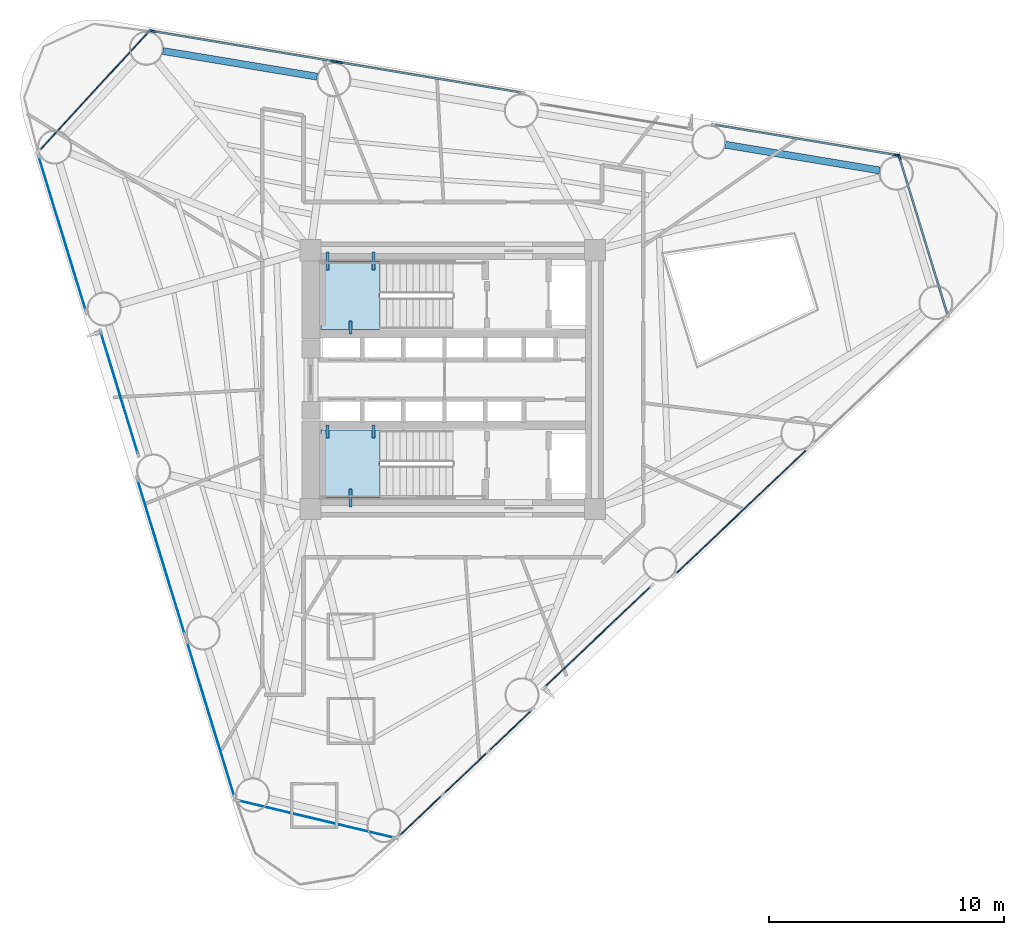
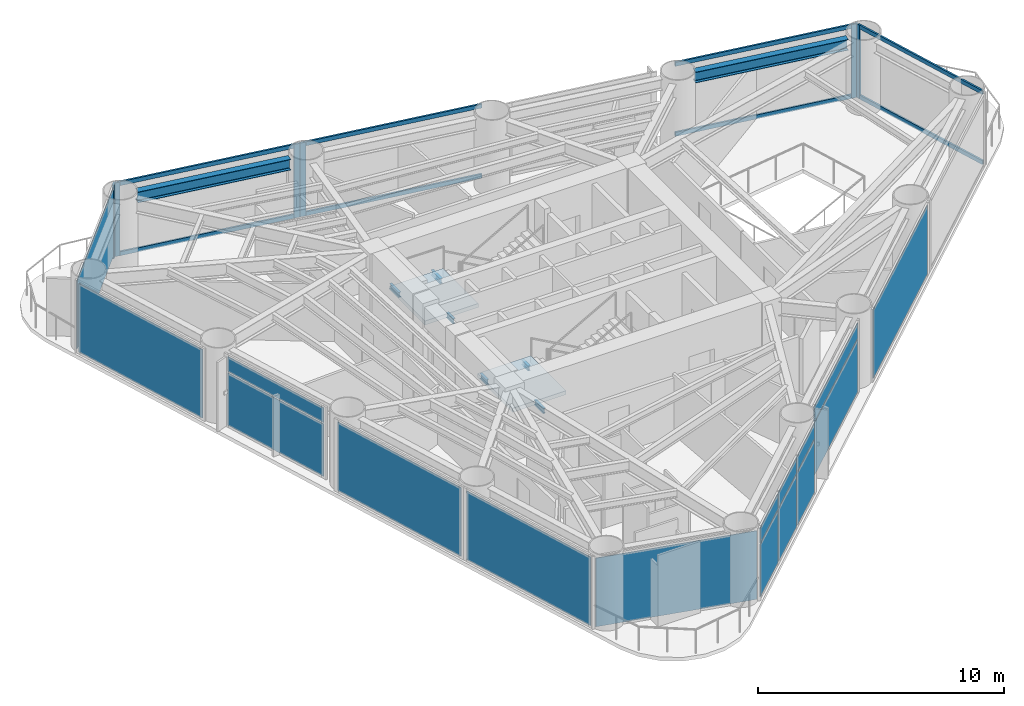
# One storey, part 4 of 10: 16 plates, 14 members, 8 beams, 2 slabs, 15 elements without a shape of their own.
"""IFC4 building model written with IfcOpenShell, lengths in metres."""

from ifc_helpers import new_model, si_unit, direction, frame, origin, origin_2d, place, context, subcontext, project, spatial, polyline, rectangle, i_section, outline, extrude, source, transform, mapped, material, layer, layer_set, material_profile, profile_set, type_object, element, aggregate, save


model = new_model("IFC4")

# Units and contexts
model_context = context("Model", 3, precision=1e-05, world=origin(), true_north=direction((0.0, 1.0)))
body_context = subcontext(model_context, "Body", "Model", "MODEL_VIEW")
ifc_project = project(units=[si_unit("LENGTHUNIT", "METRE"), si_unit("AREAUNIT", "SQUARE_METRE"), si_unit("VOLUMEUNIT", "CUBIC_METRE"), si_unit("PLANEANGLEUNIT", "RADIAN"), si_unit("MASSUNIT", "GRAM", prefix="KILO")], contexts=[model_context])

# Site, building, storey
site_placement = place(None, origin())
site = spatial("IfcSite", under=ifc_project, at=site_placement, CompositionType="ELEMENT")
building_placement = place(site_placement, origin())
building = spatial("IfcBuilding", under=site, at=building_placement, Name="Yunling Apex Tower", CompositionType="ELEMENT")
storey_placement = place(building_placement, frame((0.0, 0.0, 108.64990234375)))
storey = spatial("IfcBuildingStorey", under=building, at=storey_placement, Name="L27", CompositionType="ELEMENT", Elevation=108.64990234375)

# Beams
ifc_material_1 = material(Name="Steel Q355B", Category="steel")
ifc_material_profile_1 = material_profile(ifc_material_1, i_section(OverallWidth=0.125, OverallDepth=0.25, WebThickness=0.006103515625, FlangeThickness=0.009033203125, FilletRadius=0.011962890625, at=origin_2d()))
ifc_profile_set_1 = profile_set([ifc_material_profile_1], Name="Steel Q355B")
beam_type_1 = type_object("IfcBeamType", Name="BL-LNT-1", PredefinedType="LINTEL", material=ifc_profile_set_1)
shared_shape_1 = source(origin(), body_context, "Body", "SweptSolid", [
    extrude(i_section(OverallWidth=0.125, OverallDepth=0.25, WebThickness=0.006103515625, FlangeThickness=0.009033203125, FilletRadius=0.011962890625, at=origin_2d()), origin(), (0.0, 0.0, 1.0), 0.760009765625),
])
for number, where, z_axis, x_axis, name in (
    (1, (-5.320068359375, 5.419921875, 1.55517578125), (0.0, -1.0, 0.0), (1.0, 0.0, 0.0), "L27 ST-1 Landing Bearing Corbel 1-1"),
    (2, (-3.3701171875, 5.419921875, 1.55517578125), (0.0, -1.0, 0.0), (1.0, 0.0, 0.0), "L27 ST-1 Landing Bearing Corbel 1-2"),
    (3, (-4.344970703125, -5.419921875, 1.55517578125), (0.0, 1.0, 0.0), (-1.0, 0.0, 0.0), "L27 ST-2 Landing Bearing Corbel 1-3"),
):
    element("IfcBeam", number, at=place(storey_placement, frame(where, z_axis=z_axis, x_axis=x_axis)), inside=storey, type_object=beam_type_1, Name=name, PredefinedType="LINTEL", context=body_context, shape_type="MappedRepresentation", body=[
        mapped(shared_shape_1, transform((0.0, 0.0, 0.0), scale=1.0)),
    ])
shared_shape_2 = source(origin(), body_context, "Body", "SweptSolid", [
    extrude(i_section(OverallWidth=0.125, OverallDepth=0.25, WebThickness=0.006103515625, FlangeThickness=0.009033203125, FilletRadius=0.011962890625, at=origin_2d()), origin(), (0.0, 0.0, 1.0), 0.550048828125),
])
for number, where, z_axis, x_axis, name in (
    (4, (-4.344970703125, 1.93994140625, 1.55517578125), (0.0, 1.0, 0.0), (-1.0, 0.0, 0.0), "L27 ST-1 Landing Bearing Corbel 1-3"),
    (5, (-5.320068359375, -1.93994140625, 1.55517578125), (0.0, -1.0, 0.0), (1.0, 0.0, 0.0), "L27 ST-2 Landing Bearing Corbel 1-1"),
    (6, (-3.3701171875, -1.93994140625, 1.55517578125), (0.0, -1.0, 0.0), (1.0, 0.0, 0.0), "L27 ST-2 Landing Bearing Corbel 1-2"),
):
    element("IfcBeam", number, at=place(storey_placement, frame(where, z_axis=z_axis, x_axis=x_axis)), inside=storey, type_object=beam_type_1, Name=name, PredefinedType="LINTEL", context=body_context, shape_type="MappedRepresentation", body=[
        mapped(shared_shape_2, transform((0.0, 0.0, 0.0), scale=1.0)),
    ])
ifc_material_profile_2 = material_profile(ifc_material_1, i_section(OverallWidth=0.300048828125, OverallDepth=0.5400390625, WebThickness=0.011962890625, FlangeThickness=0.02001953125, FilletRadius=0.02392578125, at=origin_2d()))
ifc_profile_set_2 = profile_set([ifc_material_profile_2], Name="Steel Q355B")
beam_type_2 = type_object("IfcBeamType", Name="BP-SPN-1", PredefinedType="SPANDREL", material=ifc_profile_set_2)
shared_shape_3 = source(origin(), body_context, "Body", "SweptSolid", [
    extrude(i_section(OverallWidth=0.300048828125, OverallDepth=0.5400390625, WebThickness=0.011962890625, FlangeThickness=0.02001953125, FilletRadius=0.02392578125, at=origin_2d()), origin(), (0.0, 0.0, 1.0), 6.641845703125),
])
for number, where, z_axis, x_axis, name in (
    (7, (18.14599609375, 8.89111328125, 3.295166015625), (-0.986396904036, 0.164381105081, 0.0), (-0.164381105081, -0.986396904036, 0.0), "L27 Perimeter Spandrel Beam 6"),
    (8, (-5.763671875, 12.875244140625, 3.295166015625), (-0.986402863526, 0.164345340146, 0.0), (-0.164345340146, -0.986402863526, 0.0), "L27 Perimeter Spandrel Beam 9"),
):
    element("IfcBeam", number, at=place(storey_placement, frame(where, z_axis=z_axis, x_axis=x_axis)), inside=storey, type_object=beam_type_2, Name=name, PredefinedType="SPANDREL", context=body_context, shape_type="MappedRepresentation", body=[
        mapped(shared_shape_3, transform((0.0, 0.0, 0.0), scale=1.0)),
    ])

# Curtain wall, member
ifc_material_2 = material(Name="Bronze anodised aluminium", Category="aluminium")
ifc_layer_1 = layer(ifc_material_2, 0.260009765625)
ifc_layer_set_1 = layer_set([ifc_layer_1], Name="Bronze anodised aluminium")
curtain_wall_type = type_object("IfcCurtainWallType", Name="CW-SYS-2", PredefinedType="NOTDEFINED", material=ifc_layer_set_1)
curtain_wall_1_placement = place(storey_placement, origin())
curtain_wall_1 = element("IfcCurtainWall", 9, at=curtain_wall_1_placement, inside=storey, type_object=curtain_wall_type, Name="CW-L27-CRN1", PredefinedType="NOTDEFINED")
ifc_material_profile_3 = material_profile(ifc_material_2, rectangle(XDim=0.0849609375, YDim=0.260009765625, at=origin_2d()))
ifc_profile_set_3 = profile_set([ifc_material_profile_3], Name="Bronze anodised aluminium")
member_type_1 = type_object("IfcMemberType", Name="CW-MUL-2", PredefinedType="MULLION", material=ifc_profile_set_3)
shared_shape_4 = source(origin(), body_context, "Body", "SweptSolid", [
    extrude(rectangle(XDim=0.0849609375, YDim=0.260009765625, at=origin_2d()), origin(), (0.0, 0.0, 1.0), 3.664794921875),
])
member_1_placement = place(storey_placement, frame((18.9892578125, 9.46240234375, -0.0498046875), z_axis=(0.0, 0.0, 1.0), x_axis=(-0.95630374567, -0.292375009223, 0.0)))
member_1 = element("IfcMember", 10, at=member_1_placement, type_object=member_type_1, Name="CW-SYS-2 mullion 2", PredefinedType="MULLION", context=body_context, shape_type="MappedRepresentation", body=[
    mapped(shared_shape_4, transform((0.0, 0.0, 0.0), scale=1.0)),
])

curtain_wall_2_placement = place(storey_placement, origin())
curtain_wall_2 = element("IfcCurtainWall", 11, at=curtain_wall_2_placement, inside=storey, type_object=curtain_wall_type, Name="CW-L27-F2-B1", PredefinedType="NOTDEFINED")
member_2_placement = place(storey_placement, frame((18.859375, 9.54296875, -0.0498046875), z_axis=(0.0, 0.0, 1.0), x_axis=(-0.16436008369, -0.98640040698, 0.0)))
member_2 = element("IfcMember", 12, at=member_2_placement, type_object=member_type_1, Name="CW-SYS-2 mullion 1", PredefinedType="MULLION", context=body_context, shape_type="MappedRepresentation", body=[
    mapped(shared_shape_4, transform((0.0, 0.0, 0.0), scale=1.0)),
])

curtain_wall_3_placement = place(storey_placement, origin())
curtain_wall_3 = element("IfcCurtainWall", 13, at=curtain_wall_3_placement, inside=storey, type_object=curtain_wall_type, Name="CW-L27-F2-B3", PredefinedType="NOTDEFINED")
member_3_placement = place(storey_placement, frame((-4.80859375, 13.486572265625, -0.0498046875), z_axis=(0.0, 0.0, 1.0), x_axis=(-0.164362130784, -0.986400065878, 0.0)))
member_3 = element("IfcMember", 14, at=member_3_placement, type_object=member_type_1, Name="CW-SYS-2 mullion 2", PredefinedType="MULLION", context=body_context, shape_type="MappedRepresentation", body=[
    mapped(shared_shape_4, transform((0.0, 0.0, 0.0), scale=1.0)),
])

# Curtain wall, members
curtain_wall_4_placement = place(storey_placement, origin())
curtain_wall_4 = element("IfcCurtainWall", 15, at=curtain_wall_4_placement, inside=storey, type_object=curtain_wall_type, Name="CW-L27-F2-B4", PredefinedType="NOTDEFINED")
member_4_placement = place(storey_placement, frame((-5.05029296875, 13.52685546875, -0.0498046875), z_axis=(0.0, 0.0, 1.0), x_axis=(-0.16436008369, -0.98640040698, 0.0)))
member_4 = element("IfcMember", 16, at=member_4_placement, type_object=member_type_1, Name="CW-SYS-2 mullion 1", PredefinedType="MULLION", context=body_context, shape_type="MappedRepresentation", body=[
    mapped(shared_shape_4, transform((0.0, 0.0, 0.0), scale=1.0)),
])
member_5_placement = place(storey_placement, frame((-12.778564453125, 14.814697265625, -0.0498046875), z_axis=(0.0, 0.0, 1.0), x_axis=(-0.16436008369, -0.98640040698, 0.0)))
member_5 = element("IfcMember", 17, at=member_5_placement, type_object=member_type_1, Name="CW-SYS-2 mullion 2", PredefinedType="MULLION", context=body_context, shape_type="MappedRepresentation", body=[
    mapped(shared_shape_4, transform((0.0, 0.0, 0.0), scale=1.0)),
])

# Curtain wall, member
curtain_wall_5_placement = place(storey_placement, origin())
curtain_wall_5 = element("IfcCurtainWall", 18, at=curtain_wall_5_placement, inside=storey, type_object=curtain_wall_type, Name="CW-L27-CRN2", PredefinedType="NOTDEFINED")
member_6_placement = place(storey_placement, frame((-12.931396484375, 14.78369140625, -0.0498046875), z_axis=(0.0, 0.0, 1.0), x_axis=(0.736184624933, -0.676780760669, 0.0)))
member_6 = element("IfcMember", 19, at=member_6_placement, type_object=member_type_1, Name="CW-SYS-2 mullion 1", PredefinedType="MULLION", context=body_context, shape_type="MappedRepresentation", body=[
    mapped(shared_shape_4, transform((0.0, 0.0, 0.0), scale=1.0)),
])

# Member
ifc_material_profile_4 = material_profile(ifc_material_2, rectangle(XDim=0.0849609375, YDim=0.199951171875, at=origin_2d()))
ifc_profile_set_4 = profile_set([ifc_material_profile_4], Name="Bronze anodised aluminium")
member_type_2 = type_object("IfcMemberType", Name="CW-TRN-2", PredefinedType="USERDEFINED", material=ifc_profile_set_4)
shared_shape_5 = source(origin(), body_context, "Body", "SweptSolid", [
    extrude(rectangle(XDim=0.0849609375, YDim=0.199951171875, at=origin_2d()), origin(), (0.0, 0.0, 1.0), 7.75830078125),
])
member_7_placement = place(storey_placement, frame((18.821533203125, 9.549072265625, 0.04248046875), z_axis=(-0.986400726912, 0.164358163615, 0.0), x_axis=(-0.164358163615, -0.986400726912, 0.0)))
member_7 = element("IfcMember", 20, at=member_7_placement, type_object=member_type_2, Name="CW-SYS-2 transom 1.1", ObjectType="TRANSOM", PredefinedType="USERDEFINED", context=body_context, shape_type="MappedRepresentation", body=[
    mapped(shared_shape_5, transform((0.0, 0.0, 0.0), scale=1.0)),
])

member_8_placement = place(storey_placement, frame((18.821533203125, 9.549072265625, 3.522705078125), z_axis=(-0.986400726912, 0.164358163615, 0.0), x_axis=(-0.164358163615, -0.986400726912, 0.0)))
member_8 = element("IfcMember", 21, at=member_8_placement, type_object=member_type_2, Name="CW-SYS-2 transom 1.2", ObjectType="TRANSOM", PredefinedType="USERDEFINED", context=body_context, shape_type="MappedRepresentation", body=[
    mapped(shared_shape_5, transform((0.0, 0.0, 0.0), scale=1.0)),
])

aggregate(curtain_wall_2, [member_2, member_7, member_8])

member_9_placement = place(storey_placement, frame((2.8818359375, 12.205078125, 0.04248046875), z_axis=(-0.986400726912, 0.164358163615, 0.0), x_axis=(-0.164358163615, -0.986400726912, 0.0)))
member_9 = element("IfcMember", 22, at=member_9_placement, type_object=member_type_2, Name="CW-SYS-2 transom 1.1", ObjectType="TRANSOM", PredefinedType="USERDEFINED", context=body_context, shape_type="MappedRepresentation", body=[
    mapped(shared_shape_5, transform((0.0, 0.0, 0.0), scale=1.0)),
])

member_10_placement = place(storey_placement, frame((2.8818359375, 12.205078125, 3.522705078125), z_axis=(-0.986400726912, 0.164358163615, 0.0), x_axis=(-0.164358163615, -0.986400726912, 0.0)))
member_10 = element("IfcMember", 23, at=member_10_placement, type_object=member_type_2, Name="CW-SYS-2 transom 1.2", ObjectType="TRANSOM", PredefinedType="USERDEFINED", context=body_context, shape_type="MappedRepresentation", body=[
    mapped(shared_shape_5, transform((0.0, 0.0, 0.0), scale=1.0)),
])

aggregate(curtain_wall_3, [member_3, member_9, member_10])

member_11_placement = place(storey_placement, frame((-5.088134765625, 13.533203125, 0.04248046875), z_axis=(-0.986400726912, 0.164358163615, 0.0), x_axis=(-0.164358163615, -0.986400726912, 0.0)))
member_11 = element("IfcMember", 24, at=member_11_placement, type_object=member_type_2, Name="CW-SYS-2 transom 1.1", ObjectType="TRANSOM", PredefinedType="USERDEFINED", context=body_context, shape_type="MappedRepresentation", body=[
    mapped(shared_shape_5, transform((0.0, 0.0, 0.0), scale=1.0)),
])

member_12_placement = place(storey_placement, frame((-5.088134765625, 13.533203125, 3.522705078125), z_axis=(-0.986400726912, 0.164358163615, 0.0), x_axis=(-0.164358163615, -0.986400726912, 0.0)))
member_12 = element("IfcMember", 25, at=member_12_placement, type_object=member_type_2, Name="CW-SYS-2 transom 1.2", ObjectType="TRANSOM", PredefinedType="USERDEFINED", context=body_context, shape_type="MappedRepresentation", body=[
    mapped(shared_shape_5, transform((0.0, 0.0, 0.0), scale=1.0)),
])

aggregate(curtain_wall_4, [member_4, member_5, member_11, member_12])

shared_shape_6 = source(origin(), body_context, "Body", "SweptSolid", [
    extrude(rectangle(XDim=0.0849609375, YDim=0.199951171875, at=origin_2d()), origin(), (0.0, 0.0, 1.0), 6.91748046875),
])
member_13_placement = place(storey_placement, frame((21.02294921875, 2.810546875, 0.04248046875), z_axis=(-0.292369169584, 0.956305531029, 0.0), x_axis=(-0.956305531029, -0.292369169584, 0.0)))
member_13 = element("IfcMember", 26, at=member_13_placement, type_object=member_type_2, Name="CW-SYS-2 transom 1.1", ObjectType="TRANSOM", PredefinedType="USERDEFINED", context=body_context, shape_type="MappedRepresentation", body=[
    mapped(shared_shape_6, transform((0.0, 0.0, 0.0), scale=1.0)),
])

member_14_placement = place(storey_placement, frame((21.02294921875, 2.810546875, 3.522705078125), z_axis=(-0.292369169584, 0.956305531029, 0.0), x_axis=(-0.956305531029, -0.292369169584, 0.0)))
member_14 = element("IfcMember", 27, at=member_14_placement, type_object=member_type_2, Name="CW-SYS-2 transom 1.2", ObjectType="TRANSOM", PredefinedType="USERDEFINED", context=body_context, shape_type="MappedRepresentation", body=[
    mapped(shared_shape_6, transform((0.0, 0.0, 0.0), scale=1.0)),
])

aggregate(curtain_wall_1, [member_1, member_13, member_14])

# Stair, slab
ifc_material_3 = material(Name="Concrete C40", Category="concrete")
stair_type = type_object("IfcStairType", Name="ST-TWR-1", PredefinedType="HALF_TURN_STAIR", material=ifc_material_3)
stair_1_placement = place(storey_placement, origin())
stair_1 = element("IfcStair", 28, at=stair_1_placement, inside=storey, type_object=stair_type, Name="L27 North Core Smokeproof Exit Stair ST-1", PredefinedType="HALF_TURN_STAIR")
ifc_layer_2 = layer(ifc_material_3, 0.195068359375)
ifc_layer_set_2 = layer_set([ifc_layer_2], Name="Concrete C40")
slab_type = type_object("IfcSlabType", Name="SL-LND-1", PredefinedType="LANDING", material=ifc_layer_set_2)
slab_1_placement = place(storey_placement, frame((0.0, 0.0, 1.68017578125)))
slab_1 = element("IfcSlab", 29, at=slab_1_placement, type_object=slab_type, Name="ST-1 landing 1", PredefinedType="LANDING", context=body_context, shape_type="SweptSolid", body=[
    extrude(outline(polyline([(-3.090087890625, 5.010009765625), (-5.60009765625, 5.010009765625), (-5.60009765625, 2.139892578125), (-3.090087890625, 2.139892578125), (-3.090087890625, 5.010009765625)])), origin(), (0.0, 0.0, 1.0), 0.19482421875),
])
aggregate(stair_1, [slab_1])

stair_2_placement = place(storey_placement, origin())
stair_2 = element("IfcStair", 30, at=stair_2_placement, inside=storey, type_object=stair_type, Name="L27 South Core Smokeproof Exit Stair ST-2", PredefinedType="HALF_TURN_STAIR")
slab_2_placement = place(storey_placement, frame((0.0, 0.0, 1.68017578125)))
slab_2 = element("IfcSlab", 31, at=slab_2_placement, type_object=slab_type, Name="ST-2 landing 1", PredefinedType="LANDING", context=body_context, shape_type="SweptSolid", body=[
    extrude(outline(polyline([(-3.090087890625, -2.139892578125), (-5.60009765625, -2.139892578125), (-5.60009765625, -5.010009765625), (-3.090087890625, -5.010009765625), (-3.090087890625, -2.139892578125)])), origin(), (0.0, 0.0, 1.0), 0.19482421875),
])
aggregate(stair_2, [slab_2])

# Curtain wall, plates
curtain_wall_6_placement = place(storey_placement, origin())
curtain_wall_6 = element("IfcCurtainWall", 32, at=curtain_wall_6_placement, inside=storey, type_object=curtain_wall_type, Name="CW-L27-F1-B1", PredefinedType="NOTDEFINED")
ifc_material_4 = material(Name="Bronze tinted low-E glass", Category="glass")
ifc_layer_3 = layer(ifc_material_4, 0.033935546875)
ifc_layer_set_3 = layer_set([ifc_layer_3], Name="Bronze tinted low-E glass")
plate_type = type_object("IfcPlateType", Name="CW-PNL-2", PredefinedType="CURTAIN_PANEL", material=ifc_layer_set_3)
shared_shape_7 = source(origin(), body_context, "Body", "SweptSolid", [
    extrude(rectangle(XDim=2.52880859375, YDim=0.033935546875, at=origin_2d()), origin(), (0.0, 0.0, 1.0), 2.60400390625),
])
plate_1_placement = place(storey_placement, frame((-1.366943359375, -18.5341796875, 0.076904296875), z_axis=(0.0, 0.0, 1.0), x_axis=(0.72584218686, 0.687861264918, 0.0)))
plate_1 = element("IfcPlate", 33, at=plate_1_placement, type_object=plate_type, Name="CW-SYS-2 panel 1.1", PredefinedType="CURTAIN_PANEL", context=body_context, shape_type="MappedRepresentation", body=[
    mapped(shared_shape_7, transform((0.0, 0.0, 0.0), scale=1.0)),
])
plate_2_placement = place(storey_placement, frame((2.4345703125, -14.931640625, 0.076904296875), z_axis=(0.0, 0.0, 1.0), x_axis=(0.72584218686, 0.687861264918, 0.0)))
plate_2 = element("IfcPlate", 34, at=plate_2_placement, type_object=plate_type, Name="CW-SYS-2 panel 3.1", PredefinedType="CURTAIN_PANEL", context=body_context, shape_type="MappedRepresentation", body=[
    mapped(shared_shape_7, transform((0.0, 0.0, 0.0), scale=1.0)),
])
shared_shape_8 = source(origin(), body_context, "Body", "SweptSolid", [
    extrude(rectangle(XDim=2.52880859375, YDim=0.033935546875, at=origin_2d()), origin(), (0.0, 0.0, 1.0), 0.739013671875),
])
plate_3_placement = place(storey_placement, frame((-1.366943359375, -18.5341796875, 2.74951171875), z_axis=(0.0, 0.0, 1.0), x_axis=(0.72584218686, 0.687861264918, 0.0)))
plate_3 = element("IfcPlate", 35, at=plate_3_placement, type_object=plate_type, Name="CW-SYS-2 panel 1.2", PredefinedType="CURTAIN_PANEL", context=body_context, shape_type="MappedRepresentation", body=[
    mapped(shared_shape_8, transform((0.0, 0.0, 0.0), scale=1.0)),
])
plate_4_placement = place(storey_placement, frame((2.4345703125, -14.931640625, 2.74951171875), z_axis=(0.0, 0.0, 1.0), x_axis=(0.72584218686, 0.687861264918, 0.0)))
plate_4 = element("IfcPlate", 36, at=plate_4_placement, type_object=plate_type, Name="CW-SYS-2 panel 3.2", PredefinedType="CURTAIN_PANEL", context=body_context, shape_type="MappedRepresentation", body=[
    mapped(shared_shape_8, transform((0.0, 0.0, 0.0), scale=1.0)),
])
shared_shape_9 = source(origin(), body_context, "Body", "SweptSolid", [
    extrude(rectangle(XDim=2.571533203125, YDim=0.033935546875, at=origin_2d()), origin(), (0.0, 0.0, 1.0), 2.60400390625),
])
plate_5_placement = place(storey_placement, frame((0.53369140625, -16.73291015625, 0.076904296875), z_axis=(0.0, 0.0, 1.0), x_axis=(0.72584218686, 0.687861264918, 0.0)))
plate_5 = element("IfcPlate", 37, at=plate_5_placement, type_object=plate_type, Name="CW-SYS-2 panel 2.1", PredefinedType="CURTAIN_PANEL", context=body_context, shape_type="MappedRepresentation", body=[
    mapped(shared_shape_9, transform((0.0, 0.0, 0.0), scale=1.0)),
])
shared_shape_10 = source(origin(), body_context, "Body", "SweptSolid", [
    extrude(rectangle(XDim=2.571533203125, YDim=0.033935546875, at=origin_2d()), origin(), (0.0, 0.0, 1.0), 0.739013671875),
])
plate_6_placement = place(storey_placement, frame((0.53369140625, -16.73291015625, 2.74951171875), z_axis=(0.0, 0.0, 1.0), x_axis=(0.72584218686, 0.687861264918, 0.0)))
plate_6 = element("IfcPlate", 38, at=plate_6_placement, type_object=plate_type, Name="CW-SYS-2 panel 2.2", PredefinedType="CURTAIN_PANEL", context=body_context, shape_type="MappedRepresentation", body=[
    mapped(shared_shape_10, transform((0.0, 0.0, 0.0), scale=1.0)),
])
aggregate(curtain_wall_6, [plate_1, plate_3, plate_5, plate_6, plate_2, plate_4])

curtain_wall_7_placement = place(storey_placement, origin())
curtain_wall_7 = element("IfcCurtainWall", 39, at=curtain_wall_7_placement, inside=storey, type_object=curtain_wall_type, Name="CW-L27-F1-B2", PredefinedType="NOTDEFINED")
shared_shape_11 = source(origin(), body_context, "Body", "SweptSolid", [
    extrude(rectangle(XDim=6.236328125, YDim=0.033935546875, at=origin_2d()), origin(), (0.0, 0.0, 1.0), 2.60400390625),
])
plate_7_placement = place(storey_placement, frame((6.16455078125, -10.928466796875, 0.076904296875), z_axis=(0.0, 0.0, 1.0), x_axis=(0.725858092234, 0.687844480924, 0.0)))
plate_7 = element("IfcPlate", 40, at=plate_7_placement, type_object=plate_type, Name="CW-SYS-2 panel 1.1", PredefinedType="CURTAIN_PANEL", context=body_context, shape_type="MappedRepresentation", body=[
    mapped(shared_shape_11, transform((0.0, 0.0, 0.0), scale=1.0)),
])
shared_shape_12 = source(origin(), body_context, "Body", "SweptSolid", [
    extrude(rectangle(XDim=6.236328125, YDim=0.033935546875, at=origin_2d()), origin(), (0.0, 0.0, 1.0), 0.739013671875),
])
plate_8_placement = place(storey_placement, frame((6.16455078125, -10.928466796875, 2.74951171875), z_axis=(0.0, 0.0, 1.0), x_axis=(0.725858092234, 0.687844480924, 0.0)))
plate_8 = element("IfcPlate", 41, at=plate_8_placement, type_object=plate_type, Name="CW-SYS-2 panel 1.2", PredefinedType="CURTAIN_PANEL", context=body_context, shape_type="MappedRepresentation", body=[
    mapped(shared_shape_12, transform((0.0, 0.0, 0.0), scale=1.0)),
])
aggregate(curtain_wall_7, [plate_7, plate_8])

# Curtain wall, plate
curtain_wall_8_placement = place(storey_placement, origin())
curtain_wall_8 = element("IfcCurtainWall", 42, at=curtain_wall_8_placement, inside=storey, type_object=curtain_wall_type, Name="CW-L27-F1-B3", PredefinedType="NOTDEFINED")
shared_shape_13 = source(origin(), body_context, "Body", "SweptSolid", [
    extrude(rectangle(XDim=7.766357421875, YDim=0.033935546875, at=origin_2d()), origin(), (0.0, 0.0, 1.0), 3.41162109375),
])
plate_9_placement = place(storey_placement, frame((12.26318359375, -5.61767578125, 0.076904296875), z_axis=(0.0, 0.0, 1.0), x_axis=(0.72584218686, 0.687861264918, 0.0)))
plate_9 = element("IfcPlate", 43, at=plate_9_placement, type_object=plate_type, Name="CW-SYS-2 panel 1.1", PredefinedType="CURTAIN_PANEL", context=body_context, shape_type="MappedRepresentation", body=[
    mapped(shared_shape_13, transform((0.0, 0.0, 0.0), scale=1.0)),
])
aggregate(curtain_wall_8, [plate_9])

# Plate
shared_shape_14 = source(origin(), body_context, "Body", "SweptSolid", [
    extrude(rectangle(XDim=6.83935546875, YDim=0.033935546875, at=origin_2d()), origin(), (0.0, 0.0, 1.0), 3.41162109375),
])
plate_10_placement = place(storey_placement, frame((-15.26904296875, 12.240966796875, 0.076904296875), z_axis=(0.0, 0.0, 1.0), x_axis=(-0.676780760669, -0.736184624933, 0.0)))
plate_10 = element("IfcPlate", 44, at=plate_10_placement, type_object=plate_type, Name="CW-SYS-2 panel 1.1", PredefinedType="CURTAIN_PANEL", context=body_context, shape_type="MappedRepresentation", body=[
    mapped(shared_shape_14, transform((0.0, 0.0, 0.0), scale=1.0)),
])

aggregate(curtain_wall_5, [member_6, plate_10])

# Curtain wall, plate
curtain_wall_9_placement = place(storey_placement, origin())
curtain_wall_9 = element("IfcCurtainWall", 45, at=curtain_wall_9_placement, inside=storey, type_object=curtain_wall_type, Name="CW-L27-CRN3", PredefinedType="NOTDEFINED")
plate_11_placement = place(storey_placement, frame((-5.8134765625, -18.6865234375, 0.076904296875), z_axis=(0.0, 0.0, 1.0), x_axis=(0.972740811528, -0.23189504865, 0.0)))
plate_11 = element("IfcPlate", 46, at=plate_11_placement, type_object=plate_type, Name="CW-SYS-2 panel 1.1", PredefinedType="CURTAIN_PANEL", context=body_context, shape_type="MappedRepresentation", body=[
    mapped(shared_shape_14, transform((0.0, 0.0, 0.0), scale=1.0)),
])
aggregate(curtain_wall_9, [plate_11])

curtain_wall_10_placement = place(storey_placement, origin())
curtain_wall_10 = element("IfcCurtainWall", 47, at=curtain_wall_10_placement, inside=storey, type_object=curtain_wall_type, Name="CW-L27-F3-B1", PredefinedType="NOTDEFINED")
shared_shape_15 = source(origin(), body_context, "Body", "SweptSolid", [
    extrude(rectangle(XDim=6.88671875, YDim=0.033935546875, at=origin_2d()), origin(), (0.0, 0.0, 1.0), 3.41162109375),
])
plate_12_placement = place(storey_placement, frame((-16.601806640625, 6.21826171875, 0.076904296875), z_axis=(0.0, 0.0, 1.0), x_axis=(0.292372619321, -0.956304476342, 0.0)))
plate_12 = element("IfcPlate", 48, at=plate_12_placement, type_object=plate_type, Name="CW-SYS-2 panel 1.1", PredefinedType="CURTAIN_PANEL", context=body_context, shape_type="MappedRepresentation", body=[
    mapped(shared_shape_15, transform((0.0, 0.0, 0.0), scale=1.0)),
])
aggregate(curtain_wall_10, [plate_12])

curtain_wall_11_placement = place(storey_placement, origin())
curtain_wall_11 = element("IfcCurtainWall", 49, at=curtain_wall_11_placement, inside=storey, type_object=curtain_wall_type, Name="CW-L27-F3-B3", PredefinedType="NOTDEFINED")
plate_13_placement = place(storey_placement, frame((-12.3916015625, -7.552978515625, 0.076904296875), z_axis=(0.0, 0.0, 1.0), x_axis=(0.292372619321, -0.956304476342, 0.0)))
plate_13 = element("IfcPlate", 50, at=plate_13_placement, type_object=plate_type, Name="CW-SYS-2 panel 1.1", PredefinedType="CURTAIN_PANEL", context=body_context, shape_type="MappedRepresentation", body=[
    mapped(shared_shape_15, transform((0.0, 0.0, 0.0), scale=1.0)),
])
aggregate(curtain_wall_11, [plate_13])

curtain_wall_12_placement = place(storey_placement, origin())
curtain_wall_12 = element("IfcCurtainWall", 51, at=curtain_wall_12_placement, inside=storey, type_object=curtain_wall_type, Name="CW-L27-F3-B4", PredefinedType="NOTDEFINED")
plate_14_placement = place(storey_placement, frame((-10.286376953125, -14.438720703125, 0.076904296875), z_axis=(0.0, 0.0, 1.0), x_axis=(0.292372619321, -0.956304476342, 0.0)))
plate_14 = element("IfcPlate", 52, at=plate_14_placement, type_object=plate_type, Name="CW-SYS-2 panel 1.1", PredefinedType="CURTAIN_PANEL", context=body_context, shape_type="MappedRepresentation", body=[
    mapped(shared_shape_15, transform((0.0, 0.0, 0.0), scale=1.0)),
])
aggregate(curtain_wall_12, [plate_14])

# Curtain wall, plates
curtain_wall_13_placement = place(storey_placement, origin())
curtain_wall_13 = element("IfcCurtainWall", 53, at=curtain_wall_13_placement, inside=storey, type_object=curtain_wall_type, Name="CW-L27-F3-B2", PredefinedType="NOTDEFINED")
shared_shape_16 = source(origin(), body_context, "Body", "SweptSolid", [
    extrude(rectangle(XDim=5.356689453125, YDim=0.033935546875, at=origin_2d()), origin(), (0.0, 0.0, 1.0), 2.60400390625),
])
plate_15_placement = place(storey_placement, frame((-14.17138671875, -0.56787109375, 0.076904296875), z_axis=(0.0, 0.0, 1.0), x_axis=(0.292363767199, -0.956307182672, 0.0)))
plate_15 = element("IfcPlate", 54, at=plate_15_placement, type_object=plate_type, Name="CW-SYS-2 panel 1.1", PredefinedType="CURTAIN_PANEL", context=body_context, shape_type="MappedRepresentation", body=[
    mapped(shared_shape_16, transform((0.0, 0.0, 0.0), scale=1.0)),
])
shared_shape_17 = source(origin(), body_context, "Body", "SweptSolid", [
    extrude(rectangle(XDim=5.356689453125, YDim=0.033935546875, at=origin_2d()), origin(), (0.0, 0.0, 1.0), 0.739013671875),
])
plate_16_placement = place(storey_placement, frame((-14.17138671875, -0.56787109375, 2.74951171875), z_axis=(0.0, 0.0, 1.0), x_axis=(0.292363767199, -0.956307182672, 0.0)))
plate_16 = element("IfcPlate", 55, at=plate_16_placement, type_object=plate_type, Name="CW-SYS-2 panel 1.2", PredefinedType="CURTAIN_PANEL", context=body_context, shape_type="MappedRepresentation", body=[
    mapped(shared_shape_17, transform((0.0, 0.0, 0.0), scale=1.0)),
])
aggregate(curtain_wall_13, [plate_15, plate_16])

save(model, "model.ifc")
